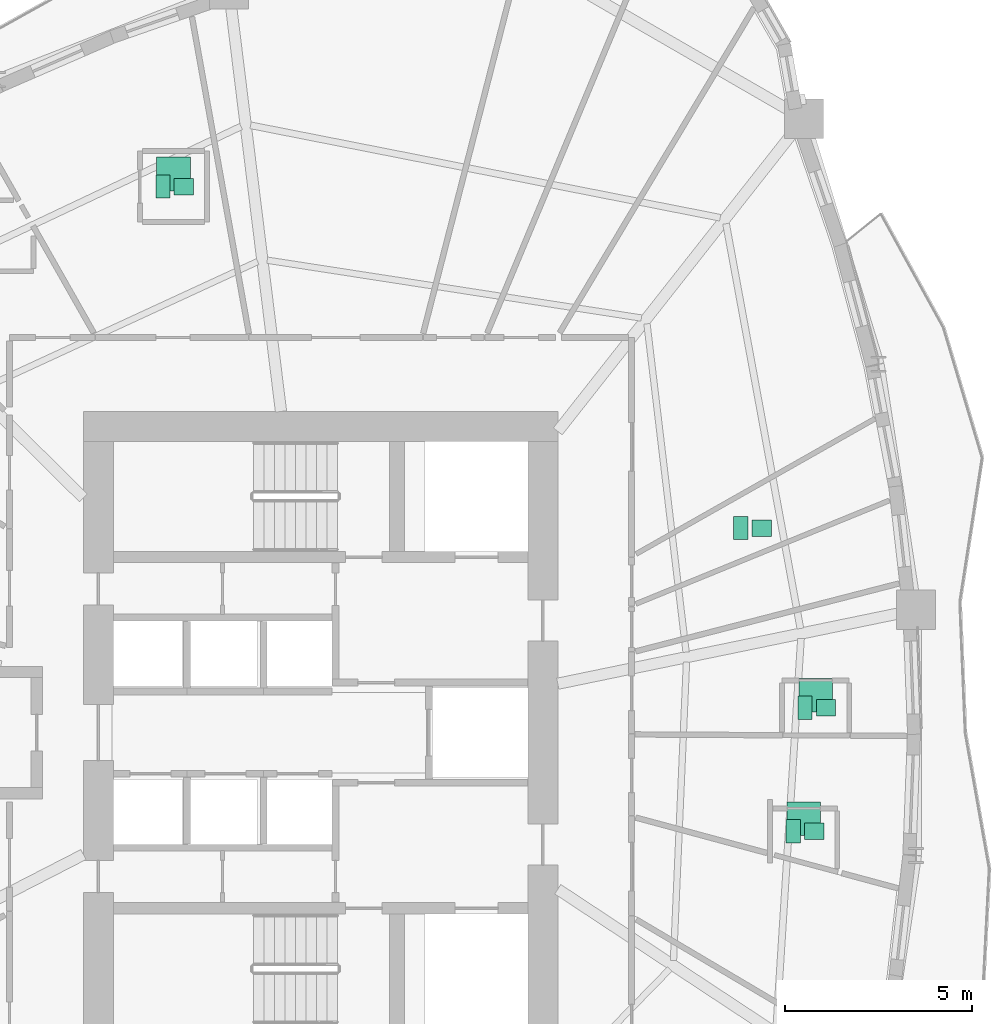
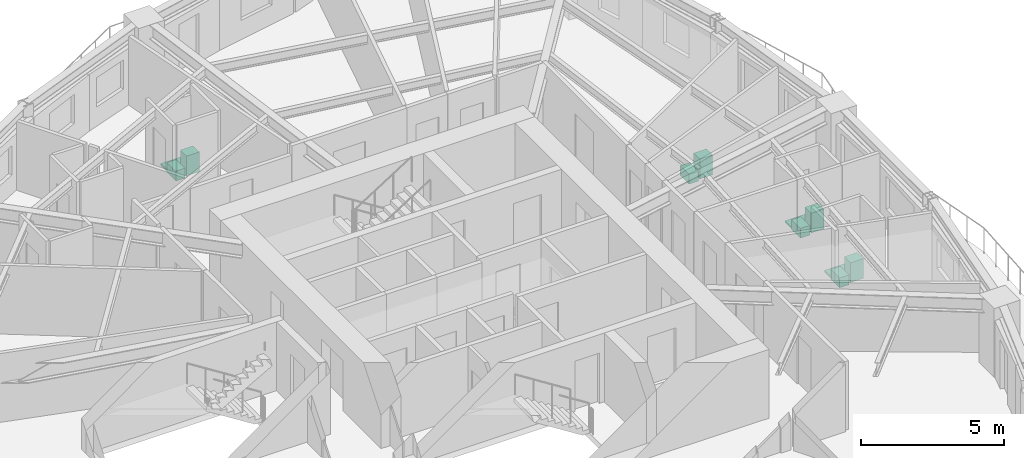
# One storey, part 13 of 13: 11 sanitary terminals.
"""IFC4 building model written with IfcOpenShell, lengths in metres."""

from ifc_helpers import new_model, si_unit, direction, frame, origin, origin_2d, place, context, subcontext, project, spatial, rectangle, extrude, source, transform, mapped, material, type_object, element, save


model = new_model("IFC4")

# Units and contexts
model_context = context("Model", 3, precision=1e-05, world=origin(), true_north=direction((0.0, 1.0)))
body_context = subcontext(model_context, "Body", "Model", "MODEL_VIEW")
ifc_project = project(units=[si_unit("LENGTHUNIT", "METRE"), si_unit("AREAUNIT", "SQUARE_METRE"), si_unit("VOLUMEUNIT", "CUBIC_METRE"), si_unit("PLANEANGLEUNIT", "RADIAN"), si_unit("MASSUNIT", "GRAM", prefix="KILO")], contexts=[model_context])

# Site, building, storey
site_placement = place(None, origin())
site = spatial("IfcSite", under=ifc_project, at=site_placement, CompositionType="ELEMENT")
building_placement = place(site_placement, origin())
building = spatial("IfcBuilding", under=site, at=building_placement, Name="Qafzar Sky-Pleat Residences", CompositionType="ELEMENT")
storey_placement = place(building_placement, frame((0.0, 0.0, 49.39990234375)))
storey = spatial("IfcBuildingStorey", under=building, at=storey_placement, Name="L14", CompositionType="ELEMENT", Elevation=49.39990234375)

# Sanitary terminals
ifc_material_1 = material(Name="Vitreous china sanitaryware")
sanitary_terminal_type_1 = type_object("IfcSanitaryTerminalType", Name="SAN-WC-PAN", PredefinedType="TOILETPAN", material=ifc_material_1)
shared_shape_1 = source(origin(), body_context, "Body", "SweptSolid", [
    extrude(rectangle(XDim=0.3798828125, YDim=0.6201171875, at=origin_2d()), origin(), (0.0, 0.0, 1.0), 0.419921875),
])
for number, where, z_axis, x_axis, name in (
    (1, (43.00390625, 23.359375, 0.000244140625), (0.0, 0.0, 1.0), (1.0, 0.0, 0.0), "L14 En-suite Bathroom 3 WC Pan"),
    (2, (43.322021484375, 26.664794921875, 0.000244140625), (0.0, 0.0, 1.0), (1.0, 0.0, 0.0), "L14 En-suite Bathroom 4 WC Pan"),
    (3, (41.5966796875, 31.474609375, 0.000244140625), (0.0, 0.0, 1.0), (1.0, 0.0, 0.0), "L14 Accessible Shared Washroom WC Pan"),
    (4, (26.132080078125, 40.617919921875, 0.000244140625), (0.0, 0.0, 1.0), (1.0, 0.0, 0.0), "L14 En-suite Bathroom 7 WC Pan"),
):
    element("IfcSanitaryTerminal", number, at=place(storey_placement, frame(where, z_axis=z_axis, x_axis=x_axis)), inside=storey, type_object=sanitary_terminal_type_1, Name=name, PredefinedType="TOILETPAN", context=body_context, shape_type="MappedRepresentation", body=[
        mapped(shared_shape_1, transform((0.0, 0.0, 0.0), x_axis=(1.0, 0.0, 0.0), y_axis=(0.0, 1.0, 0.0), z_axis=(0.0, 0.0, 1.0), scale=1.0)),
    ])
sanitary_terminal_type_2 = type_object("IfcSanitaryTerminalType", Name="SAN-BASIN", PredefinedType="WASHHANDBASIN", material=ifc_material_1)
shared_shape_2 = source(origin(), body_context, "Body", "SweptSolid", [
    extrude(rectangle(XDim=0.52001953125, YDim=0.43994140625, at=origin_2d()), origin(), (0.0, 0.0, 1.0), 0.840087890625),
])
for number, where, z_axis, x_axis, name in (
    (5, (43.56396484375, 23.359375, 0.0), (0.0, 0.0, 1.0), (1.0, 0.0, 0.0), "L14 En-suite Bathroom 3 Pedestal Washbasin"),
    (6, (43.882080078125, 26.664794921875, 0.0), (0.0, 0.0, 1.0), (1.0, 0.0, 0.0), "L14 En-suite Bathroom 4 Pedestal Washbasin"),
    (7, (42.15673828125, 31.474609375, 0.0), (0.0, 0.0, 1.0), (1.0, 0.0, 0.0), "L14 Accessible Shared Washroom Pedestal Washbasin"),
    (8, (26.69189453125, 40.617919921875, 0.0), (0.0, 0.0, 1.0), (1.0, 0.0, 0.0), "L14 En-suite Bathroom 7 Pedestal Washbasin"),
):
    element("IfcSanitaryTerminal", number, at=place(storey_placement, frame(where, z_axis=z_axis, x_axis=x_axis)), inside=storey, type_object=sanitary_terminal_type_2, Name=name, PredefinedType="WASHHANDBASIN", context=body_context, shape_type="MappedRepresentation", body=[
        mapped(shared_shape_2, transform((0.0, 0.0, 0.0), x_axis=(1.0, 0.0, 0.0), y_axis=(0.0, 1.0, 0.0), z_axis=(0.0, 0.0, 1.0), scale=1.0)),
    ])
ifc_material_2 = material(Name="Vitreous china and acrylic tray")
sanitary_terminal_type_3 = type_object("IfcSanitaryTerminalType", Name="SAN-SHOWER", PredefinedType="SHOWER", material=ifc_material_2)
shared_shape_3 = source(origin(), body_context, "Body", "SweptSolid", [
    extrude(rectangle(XDim=0.89990234375, YDim=0.89990234375, at=origin_2d()), origin(), (0.0, 0.0, 1.0), 0.080078125),
])
for number, where, z_axis, x_axis, name in (
    (9, (43.283935546875, 23.69921875, 0.0), (0.0, 0.0, 1.0), (1.0, 0.0, 0.0), "L14 En-suite Bathroom 3 Walk-In Shower"),
    (10, (43.60205078125, 27.0048828125, 0.0), (0.0, 0.0, 1.0), (1.0, 0.0, 0.0), "L14 En-suite Bathroom 4 Walk-In Shower"),
    (11, (26.412109375, 40.9580078125, 0.0), (0.0, 0.0, 1.0), (1.0, 0.0, 0.0), "L14 En-suite Bathroom 7 Walk-In Shower"),
):
    element("IfcSanitaryTerminal", number, at=place(storey_placement, frame(where, z_axis=z_axis, x_axis=x_axis)), inside=storey, type_object=sanitary_terminal_type_3, Name=name, PredefinedType="SHOWER", context=body_context, shape_type="MappedRepresentation", body=[
        mapped(shared_shape_3, transform((0.0, 0.0, 0.0), x_axis=(1.0, 0.0, 0.0), y_axis=(0.0, 1.0, 0.0), z_axis=(0.0, 0.0, 1.0), scale=1.0)),
    ])

save(model, "model.ifc")
